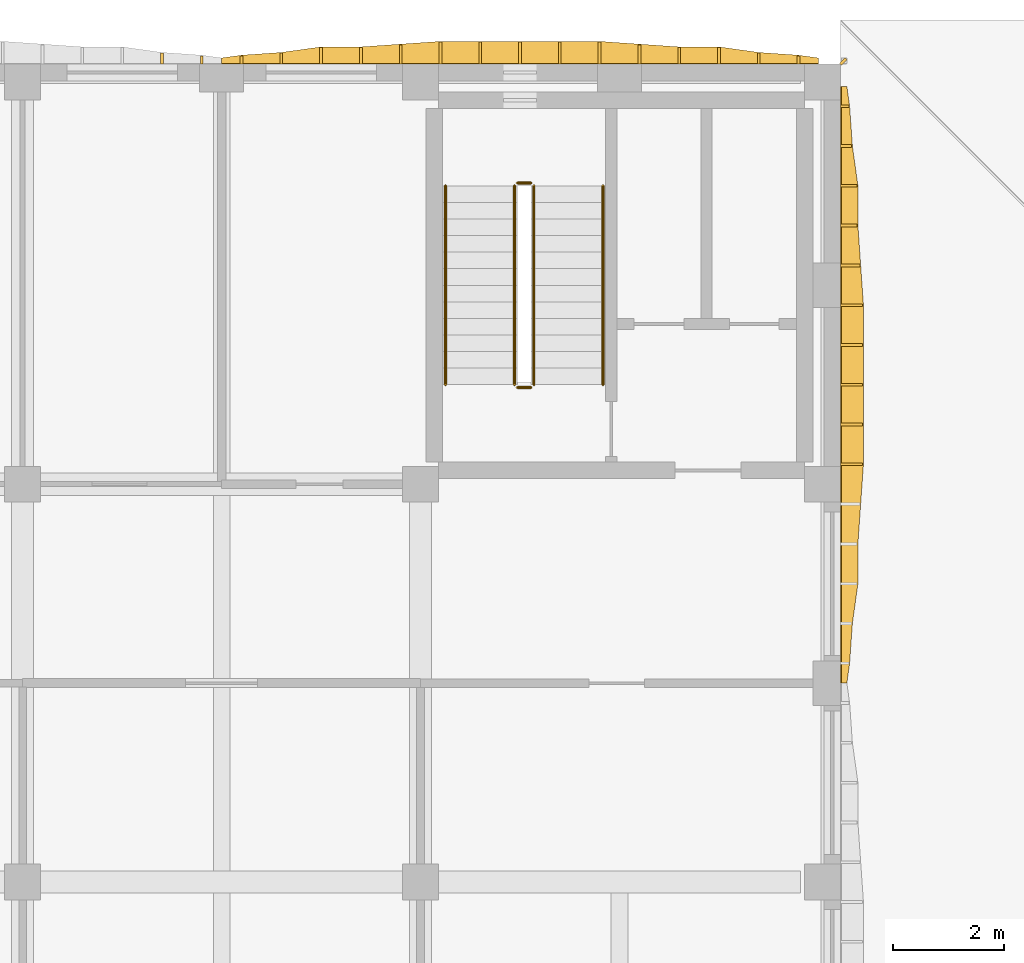
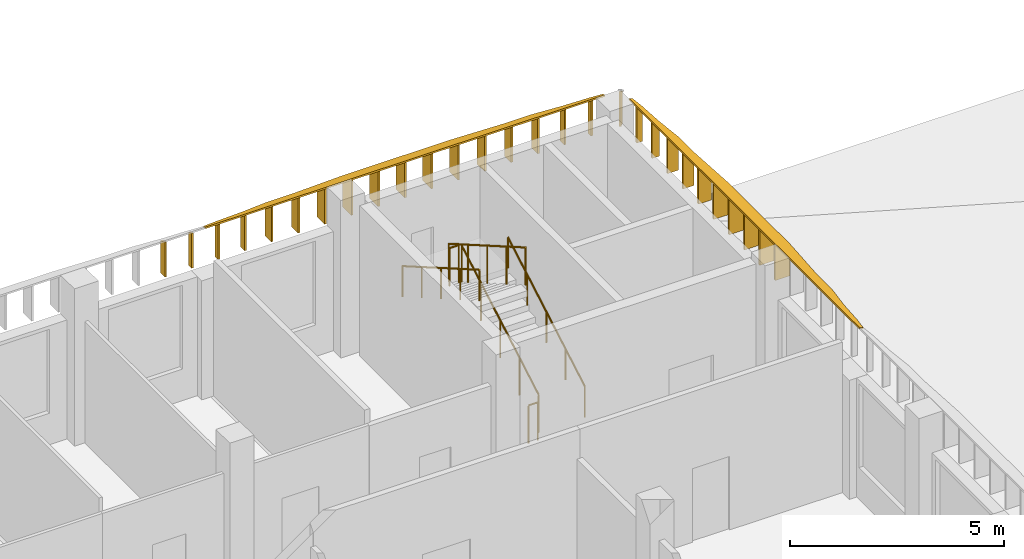
# One storey, part 49 of 54: 30 shading devices, 6 railings.
"""IFC4 building model written with IfcOpenShell, lengths in metres."""

from ifc_helpers import new_model, si_unit, direction, frame, origin, origin_2d, place, context, subcontext, project, spatial, polyline, circle, outline, extrude, material, layer, layer_set, type_object, element, save


model = new_model("IFC4")

# Units and contexts
model_context = context("Model", 3, precision=1e-05, world=origin(), true_north=direction((0.0, 1.0)))
body_context = subcontext(model_context, "Body", "Model", "MODEL_VIEW")
ifc_project = project(units=[si_unit("LENGTHUNIT", "METRE"), si_unit("AREAUNIT", "SQUARE_METRE"), si_unit("VOLUMEUNIT", "CUBIC_METRE"), si_unit("PLANEANGLEUNIT", "RADIAN"), si_unit("MASSUNIT", "GRAM", prefix="KILO")], contexts=[model_context])

# Site, building, storey
site_placement = place(None, origin())
site = spatial("IfcSite", under=ifc_project, at=site_placement, CompositionType="ELEMENT")
building_placement = place(site_placement, origin())
building = spatial("IfcBuilding", under=site, at=building_placement, Name="Ussher Court Research Institute", CompositionType="ELEMENT")
storey_placement = place(building_placement, frame((0.0, 0.0, 14.39990234375)))
storey = spatial("IfcBuildingStorey", under=building, at=storey_placement, Name="L03", CompositionType="ELEMENT", Elevation=14.39990234375)

# Shading devices
ifc_material_1 = material(Name="Bronze anodised aluminium", Category="aluminium")
ifc_layer_1 = layer(ifc_material_1, 0.050048828125)
ifc_layer_set_1 = layer_set([ifc_layer_1], Name="Bronze anodised aluminium")
shading_device_type_1 = type_object("IfcShadingDeviceType", Name="Brim blade 150 mm deep 1000 mm high canted 20 deg dry", PredefinedType="USERDEFINED", material=ifc_layer_set_1)
for number, where, z_axis, x_axis, name in (
    (1, (82.60009765625, 90.0400390625, 3.4501953125), (0.0, 0.0, 1.0), (1.0, 0.0, 0.0), "Brim blade BS16 L03"),
    (2, (71.0400390625, 90.800048828125, 3.4501953125), (0.0, 0.0, 1.0), (0.0, 1.0, 0.0), "Brim blade BS16 L03"),
    (3, (71.760009765625, 90.800048828125, 3.4501953125), (0.0, 0.0, 1.0), (0.0, 1.0, 0.0), "Brim blade BS16 L03"),
    (4, (81.840087890625, 90.800048828125, 3.4501953125), (0.0, 0.0, 1.0), (0.0, 1.0, 0.0), "Brim blade BS16 L03"),
):
    element("IfcShadingDevice", number, at=place(storey_placement, frame(where, z_axis=z_axis, x_axis=x_axis)), inside=storey, type_object=shading_device_type_1, Name=name, ObjectType="BLADE", PredefinedType="USERDEFINED", context=body_context, shape_type="SweptSolid", body=[
        extrude(outline(polyline([(0.0, 0.0), (0.14990234375, 0.0), (0.14990234375, 0.9453125), (0.0, 1.0), (0.0, 0.0)])), frame((0.0, 0.02490234375, 0.0), z_axis=(0.0, -1.0, 0.0), x_axis=(1.0, 0.0, 0.0)), (0.0, 0.0, 1.0), 0.050048828125),
    ])
ifc_material_2 = material(Name="Bronze anodised aluminium", Category="aluminium")
ifc_layer_2 = layer(ifc_material_2, 0.050048828125)
ifc_layer_set_2 = layer_set([ifc_layer_2], Name="Bronze anodised aluminium")
shading_device_type_2 = type_object("IfcShadingDeviceType", Name="Brim blade 200 mm deep 1000 mm high canted 20 deg dry", PredefinedType="USERDEFINED", material=ifc_layer_set_2)
for number, where, z_axis, x_axis, name in (
    (5, (82.60009765625, 89.320068359375, 3.4501953125), (0.0, 0.0, 1.0), (1.0, 0.0, 0.0), "Brim blade BS15 L03"),
    (6, (70.320068359375, 90.800048828125, 3.4501953125), (0.0, 0.0, 1.0), (0.0, 1.0, 0.0), "Brim blade BS15 L03"),
    (7, (72.47998046875, 90.800048828125, 3.4501953125), (0.0, 0.0, 1.0), (0.0, 1.0, 0.0), "Brim blade BS15 L03"),
    (8, (81.1201171875, 90.800048828125, 3.4501953125), (0.0, 0.0, 1.0), (0.0, 1.0, 0.0), "Brim blade BS15 L03"),
):
    element("IfcShadingDevice", number, at=place(storey_placement, frame(where, z_axis=z_axis, x_axis=x_axis)), inside=storey, type_object=shading_device_type_2, Name=name, ObjectType="BLADE", PredefinedType="USERDEFINED", context=body_context, shape_type="SweptSolid", body=[
        extrude(outline(polyline([(0.0, 0.0), (0.199951171875, 0.0), (0.199951171875, 0.927001953125), (0.0, 1.0), (0.0, 0.0)])), frame((0.0, 0.02490234375, 0.0), z_axis=(0.0, -1.0, 0.0), x_axis=(1.0, 0.0, 0.0)), (0.0, 0.0, 1.0), 0.050048828125),
    ])
ifc_material_3 = material(Name="Bronze anodised aluminium", Category="aluminium")
ifc_layer_3 = layer(ifc_material_3, 0.050048828125)
ifc_layer_set_3 = layer_set([ifc_layer_3], Name="Bronze anodised aluminium")
shading_device_type_3 = type_object("IfcShadingDeviceType", Name="Brim blade 300 mm deep 1000 mm high canted 20 deg dry", PredefinedType="USERDEFINED", material=ifc_layer_set_3)
for number, where, z_axis, x_axis, name in (
    (9, (82.60009765625, 88.60009765625, 3.4501953125), (0.0, 0.0, 1.0), (1.0, 0.0, 0.0), "Brim blade BS13 L03"),
    (10, (82.60009765625, 87.8798828125, 3.4501953125), (0.0, 0.0, 1.0), (1.0, 0.0, 0.0), "Brim blade BS13 L03"),
):
    element("IfcShadingDevice", number, at=place(storey_placement, frame(where, z_axis=z_axis, x_axis=x_axis)), inside=storey, type_object=shading_device_type_3, Name=name, ObjectType="BLADE", PredefinedType="USERDEFINED", context=body_context, shape_type="SweptSolid", body=[
        extrude(outline(polyline([(0.0, 0.0), (0.2998046875, 0.0), (0.300048828125, 0.890625), (0.0, 1.0), (0.0, 0.0)])), frame((0.0, 0.02490234375, 0.0), z_axis=(0.0, -1.0, 0.0), x_axis=(1.0, 0.0, 0.0)), (0.0, 0.0, 1.0), 0.050048828125),
    ])
for number, where, z_axis, x_axis, name in (
    (11, (73.199951171875, 90.800048828125, 3.4501953125), (0.0, 0.0, 1.0), (0.0, 1.0, 0.0), "Brim blade BS13 L03"),
    (12, (73.919921875, 90.800048828125, 3.4501953125), (0.0, 0.0, 1.0), (0.0, 1.0, 0.0), "Brim blade BS13 L03"),
    (13, (79.679931640625, 90.800048828125, 3.4501953125), (0.0, 0.0, 1.0), (0.0, 1.0, 0.0), "Brim blade BS13 L03"),
    (14, (80.39990234375, 90.800048828125, 3.4501953125), (0.0, 0.0, 1.0), (0.0, 1.0, 0.0), "Brim blade BS13 L03"),
):
    element("IfcShadingDevice", number, at=place(storey_placement, frame(where, z_axis=z_axis, x_axis=x_axis)), inside=storey, type_object=shading_device_type_3, Name=name, ObjectType="BLADE", PredefinedType="USERDEFINED", context=body_context, shape_type="SweptSolid", body=[
        extrude(outline(polyline([(0.0, 0.0), (0.300048828125, 0.0), (0.300048828125, 0.890625), (0.0, 1.0), (0.0, 0.0)])), frame((0.0, 0.02490234375, 0.0), z_axis=(0.0, -1.0, 0.0), x_axis=(1.0, 0.0, 0.0)), (0.0, 0.0, 1.0), 0.050048828125),
    ])
ifc_material_4 = material(Name="Bronze anodised aluminium", Category="aluminium")
ifc_layer_4 = layer(ifc_material_4, 0.050048828125)
ifc_layer_set_4 = layer_set([ifc_layer_4], Name="Bronze anodised aluminium")
shading_device_type_4 = type_object("IfcShadingDeviceType", Name="Brim blade 350 mm deep 1000 mm high canted 20 deg dry", PredefinedType="USERDEFINED", material=ifc_layer_set_4)
for number, where, z_axis, x_axis, name in (
    (15, (82.60009765625, 87.159912109375, 3.4501953125), (0.0, 0.0, 1.0), (1.0, 0.0, 0.0), "Brim blade BS12 L03"),
    (16, (74.639892578125, 90.800048828125, 3.4501953125), (0.0, 0.0, 1.0), (0.0, 1.0, 0.0), "Brim blade BS12 L03"),
    (17, (78.9599609375, 90.800048828125, 3.4501953125), (0.0, 0.0, 1.0), (0.0, 1.0, 0.0), "Brim blade BS12 L03"),
):
    element("IfcShadingDevice", number, at=place(storey_placement, frame(where, z_axis=z_axis, x_axis=x_axis)), inside=storey, type_object=shading_device_type_4, Name=name, ObjectType="BLADE", PredefinedType="USERDEFINED", context=body_context, shape_type="SweptSolid", body=[
        extrude(outline(polyline([(0.0, 0.0), (0.349853515625, 0.0), (0.35009765625, 0.87255859375), (0.0, 1.0), (0.0, 0.0)])), frame((0.0, 0.02490234375, 0.0), z_axis=(0.0, -1.0, 0.0), x_axis=(1.0, 0.0, 0.0)), (0.0, 0.0, 1.0), 0.050048828125),
    ])
ifc_material_5 = material(Name="Bronze anodised aluminium", Category="aluminium")
ifc_layer_5 = layer(ifc_material_5, 0.050048828125)
ifc_layer_set_5 = layer_set([ifc_layer_5], Name="Bronze anodised aluminium")
shading_device_type_5 = type_object("IfcShadingDeviceType", Name="Brim blade 400 mm deep 1000 mm high canted 20 deg dry", PredefinedType="USERDEFINED", material=ifc_layer_set_5)
for number, where, z_axis, x_axis, name in (
    (18, (82.60009765625, 86.43994140625, 3.4501953125), (0.0, 0.0, 1.0), (1.0, 0.0, 0.0), "Brim blade BS11 L03"),
    (19, (82.60009765625, 85.719970703125, 3.4501953125), (0.0, 0.0, 1.0), (1.0, 0.0, 0.0), "Brim blade BS11 L03"),
    (20, (82.60009765625, 85.0, 3.4501953125), (0.0, 0.0, 1.0), (1.0, 0.0, 0.0), "Brim blade BS11 L03"),
    (21, (82.60009765625, 84.280029296875, 3.4501953125), (0.0, 0.0, 1.0), (1.0, 0.0, 0.0), "Brim blade BS11 L03"),
    (22, (82.60009765625, 83.56005859375, 3.4501953125), (0.0, 0.0, 1.0), (1.0, 0.0, 0.0), "Brim blade BS11 L03"),
    (23, (75.360107421875, 90.800048828125, 3.4501953125), (0.0, 0.0, 1.0), (0.0, 1.0, 0.0), "Brim blade BS11 L03"),
    (24, (76.080078125, 90.800048828125, 3.4501953125), (0.0, 0.0, 1.0), (0.0, 1.0, 0.0), "Brim blade BS11 L03"),
    (25, (76.800048828125, 90.800048828125, 3.4501953125), (0.0, 0.0, 1.0), (0.0, 1.0, 0.0), "Brim blade BS11 L03"),
    (26, (77.52001953125, 90.800048828125, 3.4501953125), (0.0, 0.0, 1.0), (0.0, 1.0, 0.0), "Brim blade BS11 L03"),
    (27, (78.239990234375, 90.800048828125, 3.4501953125), (0.0, 0.0, 1.0), (0.0, 1.0, 0.0), "Brim blade BS11 L03"),
):
    element("IfcShadingDevice", number, at=place(storey_placement, frame(where, z_axis=z_axis, x_axis=x_axis)), inside=storey, type_object=shading_device_type_5, Name=name, ObjectType="BLADE", PredefinedType="USERDEFINED", context=body_context, shape_type="SweptSolid", body=[
        extrude(outline(polyline([(0.0, 0.0), (0.39990234375, 0.0), (0.39990234375, 0.854248046875), (0.0, 1.0), (0.0, 0.0)])), frame((0.0, 0.02490234375, 0.0), z_axis=(0.0, -1.0, 0.0), x_axis=(1.0, 0.0, 0.0)), (0.0, 0.0, 1.0), 0.050048828125),
    ])
ifc_material_6 = material(Name="Bronze anodised aluminium", Category="aluminium")
ifc_layer_6 = layer(ifc_material_6, 0.050048828125)
ifc_layer_set_6 = layer_set([ifc_layer_6], Name="Bronze anodised aluminium")
shading_device_type_6 = type_object("IfcShadingDeviceType", Name="Brim mitre blade 100 mm deep 1000 mm high canted 20 deg dry", PredefinedType="USERDEFINED", material=ifc_layer_set_6)
shading_device_1_placement = place(storey_placement, frame((82.60009765625, 90.800048828125, 3.4501953125), z_axis=(0.0, 0.0, 1.0), x_axis=(0.707106781187, 0.707106781187, 0.0)))
element("IfcShadingDevice", 28, at=shading_device_1_placement, inside=storey, type_object=shading_device_type_6, Name="Brim mitre blade BS19 L03", ObjectType="BLADE", PredefinedType="USERDEFINED", context=body_context, shape_type="SweptSolid", body=[
    extrude(outline(polyline([(0.0, 0.0), (0.14111328125, 0.0), (0.141357421875, 0.927001953125), (0.0, 1.0), (0.0, 0.0)])), frame((0.0, 0.02490234375, 0.0), z_axis=(0.0, -1.0, 0.0), x_axis=(1.0, 0.0, 0.0)), (0.0, 0.0, 1.0), 0.050048828125),
])
ifc_material_7 = material(Name="Bronze anodised aluminium", Category="aluminium")
ifc_layer_7 = layer(ifc_material_7, 0.0400390625)
ifc_layer_set_7 = layer_set([ifc_layer_7], Name="Bronze anodised aluminium")
shading_device_type_7 = type_object("IfcShadingDeviceType", Name="Brim visor sheet 40 mm canted 20 deg dry", PredefinedType="USERDEFINED", material=ifc_layer_set_7)
shading_device_2_placement = place(storey_placement, frame((82.61376953125, 90.39990234375, 4.48779296875), z_axis=(0.342477773768, 0.0, 0.939525930709), x_axis=(0.0, -1.0, 0.0)))
element("IfcShadingDevice", 29, at=shading_device_2_placement, inside=storey, type_object=shading_device_type_7, Name="Brim visor sheet BR2 L03", ObjectType="BRIM", PredefinedType="USERDEFINED", context=body_context, shape_type="SweptSolid", body=[
    extrude(outline(polyline([(0.0, 0.0), (10.7998046875, 0.0), (10.7998046875, 0.10627326512487273), (10.43994140625, 0.1595663922801408), (9.719970703125, 0.21285951943540887), (9.0, 0.3193621610082086), (8.27978515625, 0.3193621610082086), (7.559814453125, 0.37234229897781324), (6.83984375, 0.4256354261330813), (6.119873046875, 0.4256354261330813), (5.39990234375, 0.4256354261330813), (4.679931640625, 0.4256354261330813), (3.9599609375, 0.4256354261330813), (3.239990234375, 0.37234229897781324), (2.52001953125, 0.3193621610082086), (1.7998046875, 0.3193621610082086), (1.079833984375, 0.21285951943540887), (0.35986328125, 0.1595663922801408), (0.0, 0.10627326512487273), (0.0, 0.0)])), origin(), (0.0, 0.0, -1.0), 0.0400390625),
])
shading_device_3_placement = place(storey_placement, frame((71.39990234375, 90.813720703125, 4.48779296875), z_axis=(0.0, 0.342437439102, 0.939540632597), x_axis=(1.0, 0.0, 0.0)))
element("IfcShadingDevice", 30, at=shading_device_3_placement, inside=storey, type_object=shading_device_type_7, Name="Brim visor sheet BR2 L03", ObjectType="BRIM", PredefinedType="USERDEFINED", context=body_context, shape_type="SweptSolid", body=[
    extrude(outline(polyline([(0.0, 0.0), (10.800048828125, 0.0), (10.800048828125, 0.1065026459450868), (10.440185546875, 0.15956639032557793), (9.72021484375, 0.21285951474332424), (9.0, 0.319362160688411), (8.280029296875, 0.319362160688411), (7.56005859375, 0.3725716822157515), (6.840087890625, 0.42563542659624265), (6.1201171875, 0.42563542659624265), (5.400146484375, 0.42563542659624265), (4.68017578125, 0.42563542659624265), (3.960205078125, 0.42563542659624265), (3.239990234375, 0.3725716822157515), (2.52001953125, 0.319362160688411), (1.800048828125, 0.319362160688411), (1.080078125, 0.21285951474332424), (0.360107421875, 0.15956639032557793), (0.0, 0.1065026459450868), (0.0, 0.0)])), origin(), (0.0, 0.0, -1.0), 0.0400390625),
])

# Railings
ifc_material_8 = material(Name="Painted steel balustrade", Category="steel")
railing_type_1 = type_object("IfcRailingType", Name="Stair guard 1100 steel balustrade", PredefinedType="GUARDRAIL", material=ifc_material_8)
railing_1_placement = place(storey_placement, frame((77.050048828125, 85.0, 0.173095703125)))
element("IfcRailing", 31, at=railing_1_placement, inside=storey, type_object=railing_type_1, Name="L03 D3 stair guard 1", PredefinedType="GUARDRAIL", context=body_context, shape_type="SweptSolid", body=[
    extrude(circle(Radius=0.02392578125, at=origin_2d()), frame((0.0, 0.0, 1.076171875), z_axis=(0.0, 0.866193409371, 0.499708892819), x_axis=(-1.0, 0.0, 0.0)), (0.0, 0.0, 1.0), 4.15625),
    extrude(circle(Radius=0.02099609375, at=origin_2d()), origin(), (0.0, 0.0, 1.0), 1.052001953125),
    extrude(circle(Radius=0.02099609375, at=origin_2d()), frame((0.0, 0.89990234375, 0.519287109375)), (0.0, 0.0, 1.0), 1.052001953125),
    extrude(circle(Radius=0.02099609375, at=origin_2d()), frame((0.0, 1.800048828125, 1.03857421875)), (0.0, 0.0, 1.0), 1.052001953125),
    extrude(circle(Radius=0.02099609375, at=origin_2d()), frame((0.0, 2.7001953125, 1.5576171875)), (0.0, 0.0, 1.0), 1.052001953125),
    extrude(circle(Radius=0.02099609375, at=origin_2d()), frame((0.0, 3.60009765625, 2.076904296875)), (0.0, 0.0, 1.0), 1.052001953125),
])
railing_2_placement = place(storey_placement, frame((77.0, 88.64990234375, 2.25)))
element("IfcRailing", 32, at=railing_2_placement, inside=storey, type_object=railing_type_1, Name="L03 D3 stair guard 2", PredefinedType="GUARDRAIL", context=body_context, shape_type="SweptSolid", body=[
    extrude(circle(Radius=0.02392578125, at=origin_2d()), frame((0.0, 0.0, 1.076171875), z_axis=(-1.0, 0.0, 0.0), x_axis=(0.0, -1.0, 0.0)), (0.0, 0.0, 1.0), 0.25),
    extrude(circle(Radius=0.02099609375, at=origin_2d()), origin(), (0.0, 0.0, 1.0), 1.052001953125),
    extrude(circle(Radius=0.02099609375, at=origin_2d()), frame((-0.25, 0.0, 0.0)), (0.0, 0.0, 1.0), 1.052001953125),
])
railing_3_placement = place(storey_placement, frame((76.699951171875, 88.60009765625, 2.423095703125)))
element("IfcRailing", 33, at=railing_3_placement, inside=storey, type_object=railing_type_1, Name="L03 D3 stair guard 3", PredefinedType="GUARDRAIL", context=body_context, shape_type="SweptSolid", body=[
    extrude(circle(Radius=0.02392578125, at=origin_2d()), frame((0.0, 0.0, 1.076171875), z_axis=(0.0, -0.866193409371, 0.499708892819), x_axis=(1.0, 0.0, 0.0)), (0.0, 0.0, 1.0), 4.15625),
    extrude(circle(Radius=0.02099609375, at=origin_2d()), origin(), (0.0, 0.0, 1.0), 1.052001953125),
    extrude(circle(Radius=0.02099609375, at=origin_2d()), frame((0.0, -0.89990234375, 0.519287109375)), (0.0, 0.0, 1.0), 1.052001953125),
    extrude(circle(Radius=0.02099609375, at=origin_2d()), frame((0.0, -1.800048828125, 1.03857421875)), (0.0, 0.0, 1.0), 1.052001953125),
    extrude(circle(Radius=0.02099609375, at=origin_2d()), frame((0.0, -2.7001953125, 1.5576171875)), (0.0, 0.0, 1.0), 1.052001953125),
    extrude(circle(Radius=0.02099609375, at=origin_2d()), frame((0.0, -3.60009765625, 2.076904296875)), (0.0, 0.0, 1.0), 1.052001953125),
])
railing_4_placement = place(storey_placement, frame((77.0, 84.949951171875, 0.0)))
element("IfcRailing", 34, at=railing_4_placement, inside=storey, type_object=railing_type_1, Name="L03 D3 stair guard 4", PredefinedType="GUARDRAIL", context=body_context, shape_type="SweptSolid", body=[
    extrude(circle(Radius=0.02392578125, at=origin_2d()), frame((0.0, 0.0, 1.076171875), z_axis=(-1.0, 0.0, 0.0), x_axis=(0.0, -1.0, 0.0)), (0.0, 0.0, 1.0), 0.25),
    extrude(circle(Radius=0.02099609375, at=origin_2d()), origin(), (0.0, 0.0, 1.0), 1.052001953125),
    extrude(circle(Radius=0.02099609375, at=origin_2d()), frame((-0.25, 0.0, 0.0)), (0.0, 0.0, 1.0), 1.052001953125),
])
ifc_material_9 = material(Name="Painted steel handrail", Category="steel")
railing_type_2 = type_object("IfcRailingType", Name="Stair handrail 900 steel", PredefinedType="HANDRAIL", material=ifc_material_9)
railing_5_placement = place(storey_placement, frame((78.300048828125, 85.0, 0.173095703125)))
element("IfcRailing", 35, at=railing_5_placement, inside=storey, type_object=railing_type_2, Name="L03 D3 stair handrail 1", PredefinedType="HANDRAIL", context=body_context, shape_type="SweptSolid", body=[
    extrude(circle(Radius=0.02392578125, at=origin_2d()), frame((0.0, 0.0, 0.8759765625), z_axis=(0.0, 0.866193409371, 0.499708892819), x_axis=(-1.0, 0.0, 0.0)), (0.0, 0.0, 1.0), 4.15625),
    extrude(circle(Radius=0.02099609375, at=origin_2d()), origin(), (0.0, 0.0, 1.0), 0.851806640625),
    extrude(circle(Radius=0.02099609375, at=origin_2d()), frame((0.0, 0.89990234375, 0.519287109375)), (0.0, 0.0, 1.0), 0.851806640625),
    extrude(circle(Radius=0.02099609375, at=origin_2d()), frame((0.0, 1.800048828125, 1.03857421875)), (0.0, 0.0, 1.0), 0.851806640625),
    extrude(circle(Radius=0.02099609375, at=origin_2d()), frame((0.0, 2.7001953125, 1.5576171875)), (0.0, 0.0, 1.0), 0.851806640625),
    extrude(circle(Radius=0.02099609375, at=origin_2d()), frame((0.0, 3.60009765625, 2.076904296875)), (0.0, 0.0, 1.0), 0.851806640625),
])
railing_6_placement = place(storey_placement, frame((75.449951171875, 88.60009765625, 2.423095703125)))
element("IfcRailing", 36, at=railing_6_placement, inside=storey, type_object=railing_type_2, Name="L03 D3 stair handrail 2", PredefinedType="HANDRAIL", context=body_context, shape_type="SweptSolid", body=[
    extrude(circle(Radius=0.02392578125, at=origin_2d()), frame((0.0, 0.0, 0.8759765625), z_axis=(0.0, -0.866193409371, 0.499708892819), x_axis=(1.0, 0.0, 0.0)), (0.0, 0.0, 1.0), 4.15625),
    extrude(circle(Radius=0.02099609375, at=origin_2d()), origin(), (0.0, 0.0, 1.0), 0.851806640625),
    extrude(circle(Radius=0.02099609375, at=origin_2d()), frame((0.0, -0.89990234375, 0.519287109375)), (0.0, 0.0, 1.0), 0.851806640625),
    extrude(circle(Radius=0.02099609375, at=origin_2d()), frame((0.0, -1.800048828125, 1.03857421875)), (0.0, 0.0, 1.0), 0.851806640625),
    extrude(circle(Radius=0.02099609375, at=origin_2d()), frame((0.0, -2.7001953125, 1.5576171875)), (0.0, 0.0, 1.0), 0.851806640625),
    extrude(circle(Radius=0.02099609375, at=origin_2d()), frame((0.0, -3.60009765625, 2.076904296875)), (0.0, 0.0, 1.0), 0.851806640625),
])

save(model, "model.ifc")
